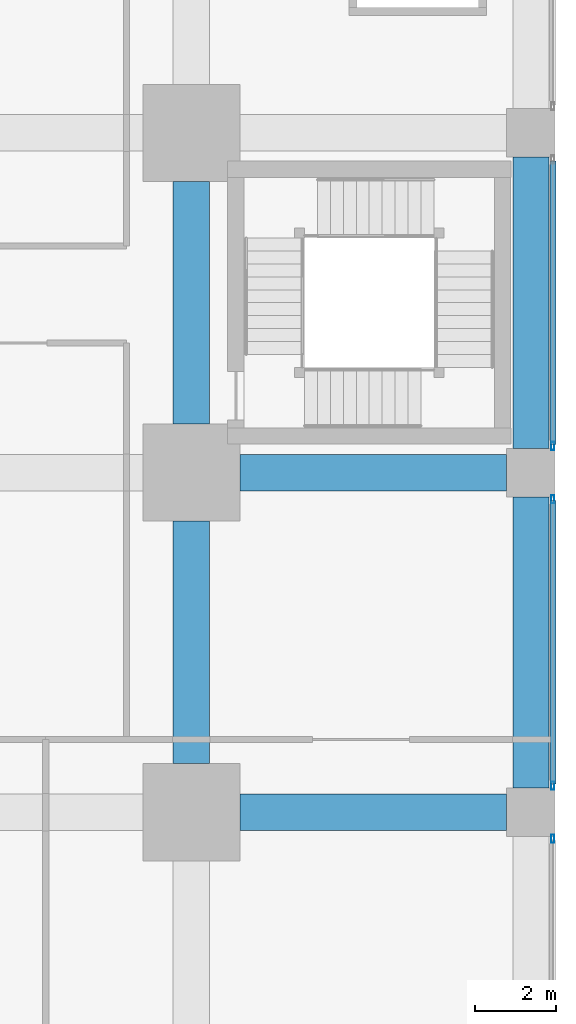
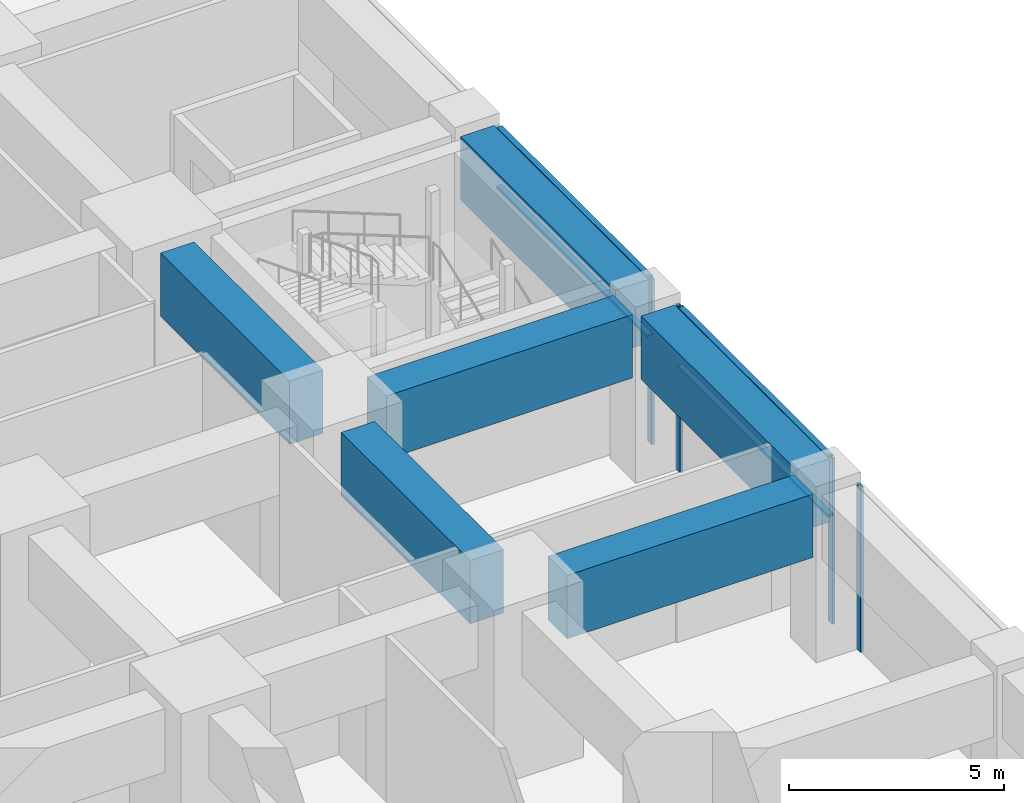
# One storey, part 31 of 49: 8 members, 6 beams, 3 elements without a shape of their own.
"""IFC4 building model written with IfcOpenShell, lengths in metres."""

import ifcopenshell
import ifcopenshell.guid

model = None  # the IFC model being written
_history = None  # IfcOwnerHistory: only IFC2X3 demands one
_inside = {}  # id of a spatial element -> (the spatial element, [elements in it])
_under = {}  # id of a project, library or spatial element -> (it, [spatial elements below it])
_declared = {}  # id of a project -> (the project, [libraries it declares])
_typed = {}  # id of a type object -> (the type object, [elements of that type])
_made_of = {}  # id of a material, layer set ... -> (it, [elements and type objects made of it])


def new_model(schema):
    """Start an empty IFC model of exactly this schema.

    Asked for "IFC4X3", IfcOpenShell would pick the latest addendum, in which some entities
    have other attributes; the version numbers below select the first issue.
    IFC2X3 requires an IfcOwnerHistory on every rooted entity: one is made here for all.
    """
    global model, _history
    if schema == "IFC4X3":
        model = ifcopenshell.file(schema_version=(4, 3, 0, 0))
    else:
        model = ifcopenshell.file(schema=schema)
    _inside.clear()
    _under.clear()
    _declared.clear()
    _typed.clear()
    _made_of.clear()
    _history = None
    if model.schema == "IFC2X3":
        org = make("IfcOrganization", Name="unknown")
        user = make(
            "IfcPersonAndOrganization",
            ThePerson=make("IfcPerson", FamilyName="unknown"),
            TheOrganization=org,
        )
        app = make(
            "IfcApplication",
            ApplicationDeveloper=org,
            Version="unknown",
            ApplicationFullName="unknown",
            ApplicationIdentifier="unknown",
        )
        _history = make(
            "IfcOwnerHistory",
            OwningUser=user,
            OwningApplication=app,
            ChangeAction="ADDED",
            CreationDate=0,
        )
    return model


def make(cls, **values):
    """One entity of the class cls with the attributes given. An attribute that is None is left unset."""
    return model.create_entity(
        cls, **{name: value for name, value in values.items() if value is not None}
    )


def rooted(cls, **values):
    """An entity with a GlobalId (a new one), such as an element, a storey or a relation."""
    return make(cls, GlobalId=ifcopenshell.guid.new(), OwnerHistory=_history, **values)


def si_unit(unit_type, name, prefix=None):
    """IfcSIUnit, for example si_unit("LENGTHUNIT", "METRE", prefix="MILLI")."""
    return make("IfcSIUnit", UnitType=unit_type, Prefix=prefix, Name=name)


def assignment(units):
    """IfcUnitAssignment: the units of a project."""
    return None if units is None else make("IfcUnitAssignment", Units=units)


def point(xyz):
    """IfcCartesianPoint."""
    return None if xyz is None else make("IfcCartesianPoint", Coordinates=xyz)


def direction(xyz):
    """IfcDirection."""
    return None if xyz is None else make("IfcDirection", DirectionRatios=xyz)


def frame(location, z_axis=None, x_axis=None):
    """IfcAxis2Placement3D, a coordinate frame: its origin and axes. An axis left out is left unset."""
    return make(
        "IfcAxis2Placement3D",
        Location=point(location),
        Axis=direction(z_axis),
        RefDirection=direction(x_axis),
    )


def frame_2d(location, x_axis=None):
    """IfcAxis2Placement2D, a coordinate frame in the plane: its origin and x axis."""
    return make(
        "IfcAxis2Placement2D", Location=point(location), RefDirection=direction(x_axis)
    )


def origin():
    """The frame at (0, 0, 0) with its axes left unset."""
    return frame((0.0, 0.0, 0.0))


def origin_2d():
    """The frame at (0, 0) in the plane with its x axis left unset."""
    return frame_2d((0.0, 0.0))


def place(relative_to, where):
    """IfcLocalPlacement: puts the frame where relative to a parent placement (None: the world)."""
    return make(
        "IfcLocalPlacement", PlacementRelTo=relative_to, RelativePlacement=where
    )


def context(
    kind, dimensions, precision=None, world=None, true_north=None, identifier=None
):
    """IfcGeometricRepresentationContext, for example the 3D "Model" context."""
    return make(
        "IfcGeometricRepresentationContext",
        ContextIdentifier=identifier,
        ContextType=kind,
        CoordinateSpaceDimension=dimensions,
        Precision=precision,
        WorldCoordinateSystem=world,
        TrueNorth=true_north,
    )


def subcontext(parent, identifier, kind, view, scale=None):
    """IfcGeometricRepresentationSubContext, for example "Body" below "Model"."""
    return make(
        "IfcGeometricRepresentationSubContext",
        ContextIdentifier=identifier,
        ContextType=kind,
        ParentContext=parent,
        TargetScale=scale,
        TargetView=view,
    )


def project(units=None, contexts=None):
    """IfcProject with its units and contexts."""
    return rooted(
        "IfcProject",
        Name="project",
        RepresentationContexts=contexts,
        UnitsInContext=assignment(units),
    )


def spatial(cls, under=None, at=None, **own):
    """A site, building, storey or space (cls), placed at a placement, below another one or the project."""
    s = rooted(cls, ObjectPlacement=at, **own)
    if under is not None:
        _under.setdefault(under.id(), (under, []))[1].append(s)
    return s


def profile(cls, at=None, kind="AREA", **sizes):
    """A parametric profile (cls). Its sizes go by their IFC names, for example OverallWidth=200.0."""
    return make(cls, ProfileType=kind, Position=at, **sizes)


def rectangle(**sizes):
    """IfcRectangleProfileDef."""
    return profile("IfcRectangleProfileDef", **sizes)


def hollow_rectangle(**sizes):
    """IfcRectangleHollowProfileDef."""
    return profile("IfcRectangleHollowProfileDef", **sizes)


def extrude(swept, where, along, depth):
    """IfcExtrudedAreaSolid: the profile swept, set in the frame where, extruded along a direction by depth."""
    return make(
        "IfcExtrudedAreaSolid",
        SweptArea=swept,
        Position=where,
        ExtrudedDirection=direction(along),
        Depth=depth,
    )


def shape(context_of_items, identifier, shape_type, items):
    """IfcShapeRepresentation: the items that make up one representation, for example the "Body"."""
    return make(
        "IfcShapeRepresentation",
        ContextOfItems=context_of_items,
        RepresentationIdentifier=identifier,
        RepresentationType=shape_type,
        Items=items,
    )


def material(Name=None, Category=None):
    """IfcMaterial."""
    return make("IfcMaterial", Name=Name, Category=Category)


def material_profile(
    of_material, cross_section, Name=None, Category=None, Priority=None
):
    """IfcMaterialProfile: a cross section and its material."""
    return make(
        "IfcMaterialProfile",
        Name=Name,
        Material=of_material,
        Profile=cross_section,
        Priority=Priority,
        Category=Category,
    )


def profile_set(profiles, Name=None, composite=None):
    """IfcMaterialProfileSet."""
    return make(
        "IfcMaterialProfileSet",
        Name=Name,
        MaterialProfiles=profiles,
        CompositeProfile=composite,
    )


def made_of(thing, what):
    """Note that an element or type object is made of a material, layer set ...; save() writes the relation."""
    if what is not None:
        _made_of.setdefault(what.id(), (what, []))[1].append(thing)
    return thing


def type_object(cls, material=None, **own):
    """A type object (cls), such as IfcWallType, which elements share."""
    return made_of(rooted(cls, **own), material)


def element(
    cls,
    number,
    at=None,
    inside=None,
    cuts=None,
    type_object=None,
    material=None,
    context=None,
    identifier="Body",
    shape_type=None,
    held_by="IfcProductDefinitionShape",
    body=None,
    shapes=None,
    **own,
):
    """One element of the class cls, such as IfcWall. Its Tag is "e" and its number.

    at: its placement. inside: the storey or other place that contains it. cuts: it is an
    opening in that element (IfcRelVoidsElement). A single representation is given by context,
    identifier, shape_type and body (its items); several are given by shapes. held_by: the class
    of the entity that holds the representations. save() writes the other relations.
    """
    e = rooted(cls, Tag="e%d" % number, ObjectPlacement=at, **own)
    if body is not None:
        shapes = [shape(context, identifier, shape_type, body)]
    if shapes is not None:
        e.Representation = make(held_by, Representations=shapes)
    if inside is not None:
        _inside.setdefault(inside.id(), (inside, []))[1].append(e)
    if cuts is not None:
        rooted(
            "IfcRelVoidsElement", RelatingBuildingElement=cuts, RelatedOpeningElement=e
        )
    if type_object is not None:
        _typed.setdefault(type_object.id(), (type_object, []))[1].append(e)
    return made_of(e, material)


def aggregate(whole, parts):
    """IfcRelAggregates: a whole, such as a stair, and the parts it consists of."""
    return rooted("IfcRelAggregates", RelatingObject=whole, RelatedObjects=parts)


def save(model, path):
    """Write the relations noted so far, then the file.

    IfcRelAggregates (storeys below a building ...), IfcRelContainedInSpatialStructure (elements
    in a storey), IfcRelDefinesByType, IfcRelAssociatesMaterial and IfcRelDeclares: one each for
    every whole, place, type object, material and project.
    """
    for whole, parts in _under.values():
        aggregate(whole, parts)
    for where, things in _inside.values():
        rooted(
            "IfcRelContainedInSpatialStructure",
            RelatedElements=things,
            RelatingStructure=where,
        )
    for kind, things in _typed.values():
        rooted("IfcRelDefinesByType", RelatedObjects=things, RelatingType=kind)
    for what, things in _made_of.values():
        rooted("IfcRelAssociatesMaterial", RelatedObjects=things, RelatingMaterial=what)
    for by, libraries in _declared.values():
        rooted("IfcRelDeclares", RelatingContext=by, RelatedDefinitions=libraries)
    model.write(path)


model = new_model("IFC4")

# Units and contexts
model_context = context("Model", 3, precision=1e-05, world=origin(), true_north=direction((0.0, 1.0)))
body_context = subcontext(model_context, "Body", "Model", "MODEL_VIEW")
ifc_project = project(units=[si_unit("LENGTHUNIT", "METRE"), si_unit("AREAUNIT", "SQUARE_METRE"), si_unit("VOLUMEUNIT", "CUBIC_METRE"), si_unit("PLANEANGLEUNIT", "RADIAN"), si_unit("MASSUNIT", "GRAM", prefix="KILO")], contexts=[model_context])

# Site, building, storey
site_placement = place(None, origin())
site = spatial("IfcSite", under=ifc_project, at=site_placement, CompositionType="ELEMENT")
building_placement = place(site_placement, origin())
building = spatial("IfcBuilding", under=site, at=building_placement, Name="Rekha Terrace Tower", CompositionType="ELEMENT")
storey_placement = place(building_placement, frame((0.0, 0.0, 5.39990234375)))
storey = spatial("IfcBuildingStorey", under=building, at=storey_placement, Name="L01", CompositionType="ELEMENT", Elevation=5.39990234375)

# Curtain wall, member
ifc_material_1 = material(Name="Aluminium framing", Category="aluminium")
curtain_wall_type = type_object("IfcCurtainWallType", Name="CW4 podium shopfront glazing", PredefinedType="USERDEFINED", material=ifc_material_1)
curtain_wall_1_placement = place(storey_placement, origin())
curtain_wall_1 = element("IfcCurtainWall", 1, at=curtain_wall_1_placement, inside=storey, type_object=curtain_wall_type, Name="CW4 shopfront curtain wall", ObjectType="SHOPFRONT CURTAIN WALL", PredefinedType="USERDEFINED")
ifc_material_2 = material(Name="Aluminium mullion section", Category="aluminium")
ifc_material_profile_1 = material_profile(ifc_material_2, hollow_rectangle(XDim=0.074951171875, YDim=0.199951171875, WallThickness=0.00390625, at=origin_2d()), Name="AL RHS 75x200")
ifc_profile_set_1 = profile_set([ifc_material_profile_1], Name="Aluminium mullion section")
member_type_1 = type_object("IfcMemberType", Name="CW4 mullion RHS 75 x 200", PredefinedType="MULLION", material=ifc_profile_set_1)
member_1_placement = place(storey_placement, frame((76.139892578125, 16.142578125, 0.0), z_axis=(0.0, 0.0, 1.0), x_axis=(-1.0, 0.0, 0.0)))
member_1 = element("IfcMember", 2, at=member_1_placement, type_object=member_type_1, Name="CW4 mullion 2", PredefinedType="MULLION", context=body_context, shape_type="SweptSolid", body=[
    extrude(hollow_rectangle(XDim=0.074951171875, YDim=0.199951171875, WallThickness=0.00390625, at=origin_2d()), origin(), (0.0, 0.0, 1.0), 4.7001953125),
])
aggregate(curtain_wall_1, [member_1])

# Curtain wall, members
curtain_wall_2_placement = place(storey_placement, origin())
curtain_wall_2 = element("IfcCurtainWall", 3, at=curtain_wall_2_placement, inside=storey, type_object=curtain_wall_type, Name="CW4 shopfront curtain wall", ObjectType="SHOPFRONT CURTAIN WALL", PredefinedType="USERDEFINED")
member_2_placement = place(storey_placement, frame((76.139892578125, 17.45751953125, 0.0), z_axis=(0.0, 0.0, 1.0), x_axis=(-1.0, 0.0, 0.0)))
member_2 = element("IfcMember", 4, at=member_2_placement, type_object=member_type_1, Name="CW4 mullion 1", PredefinedType="MULLION", context=body_context, shape_type="SweptSolid", body=[
    extrude(hollow_rectangle(XDim=0.074951171875, YDim=0.199951171875, WallThickness=0.00390625, at=origin_2d()), origin(), (0.0, 0.0, 1.0), 4.7001953125),
])
member_3_placement = place(storey_placement, frame((76.139892578125, 24.54248046875, 0.0), z_axis=(0.0, 0.0, 1.0), x_axis=(-1.0, 0.0, 0.0)))
member_3 = element("IfcMember", 5, at=member_3_placement, type_object=member_type_1, Name="CW4 mullion 2", PredefinedType="MULLION", context=body_context, shape_type="SweptSolid", body=[
    extrude(hollow_rectangle(XDim=0.074951171875, YDim=0.199951171875, WallThickness=0.00390625, at=origin_2d()), origin(), (0.0, 0.0, 1.0), 4.7001953125),
])

# Curtain wall, member
curtain_wall_3_placement = place(storey_placement, origin())
curtain_wall_3 = element("IfcCurtainWall", 6, at=curtain_wall_3_placement, inside=storey, type_object=curtain_wall_type, Name="CW4 shopfront curtain wall", ObjectType="SHOPFRONT CURTAIN WALL", PredefinedType="USERDEFINED")
member_4_placement = place(storey_placement, frame((76.139892578125, 25.857421875, 0.0), z_axis=(0.0, 0.0, 1.0), x_axis=(-1.0, 0.0, 0.0)))
member_4 = element("IfcMember", 7, at=member_4_placement, type_object=member_type_1, Name="CW4 mullion 1", PredefinedType="MULLION", context=body_context, shape_type="SweptSolid", body=[
    extrude(hollow_rectangle(XDim=0.074951171875, YDim=0.199951171875, WallThickness=0.00390625, at=origin_2d()), origin(), (0.0, 0.0, 1.0), 4.7001953125),
])

# Member
ifc_material_3 = material(Name="Aluminium transom section", Category="aluminium")
ifc_material_profile_2 = material_profile(ifc_material_3, hollow_rectangle(XDim=0.14990234375, YDim=0.074951171875, WallThickness=0.0029296875, at=origin_2d()), Name="AL RHS 150x75")
ifc_profile_set_2 = profile_set([ifc_material_profile_2], Name="Aluminium transom section")
member_type_2 = type_object("IfcMemberType", Name="CW4 transom RHS 75 x 150", PredefinedType="USERDEFINED", material=ifc_profile_set_2)
member_5_placement = place(storey_placement, frame((76.139892578125, 17.4951171875, 3.0), z_axis=(0.0, 1.0, 0.0), x_axis=(-1.0, 0.0, 0.0)))
member_5 = element("IfcMember", 8, at=member_5_placement, type_object=member_type_2, Name="CW4 transom 1.2", ObjectType="TRANSOM", PredefinedType="USERDEFINED", context=body_context, shape_type="SweptSolid", body=[
    extrude(hollow_rectangle(XDim=0.14990234375, YDim=0.074951171875, WallThickness=0.0029296875, at=origin_2d()), origin(), (0.0, 0.0, 1.0), 7.009765625),
])

member_6_placement = place(storey_placement, frame((76.139892578125, 17.4951171875, 4.66259765625), z_axis=(0.0, 1.0, 0.0), x_axis=(-1.0, 0.0, 0.0)))
member_6 = element("IfcMember", 9, at=member_6_placement, type_object=member_type_2, Name="CW4 transom 1.3", ObjectType="TRANSOM", PredefinedType="USERDEFINED", context=body_context, shape_type="SweptSolid", body=[
    extrude(hollow_rectangle(XDim=0.14990234375, YDim=0.074951171875, WallThickness=0.0029296875, at=origin_2d()), origin(), (0.0, 0.0, 1.0), 7.009765625),
])

aggregate(curtain_wall_2, [member_2, member_3, member_5, member_6])

member_7_placement = place(storey_placement, frame((76.139892578125, 25.89501953125, 3.0), z_axis=(0.0, 1.0, 0.0), x_axis=(-1.0, 0.0, 0.0)))
member_7 = element("IfcMember", 10, at=member_7_placement, type_object=member_type_2, Name="CW4 transom 1.2", ObjectType="TRANSOM", PredefinedType="USERDEFINED", context=body_context, shape_type="SweptSolid", body=[
    extrude(hollow_rectangle(XDim=0.14990234375, YDim=0.074951171875, WallThickness=0.0029296875, at=origin_2d()), origin(), (0.0, 0.0, 1.0), 7.010009765625),
])

member_8_placement = place(storey_placement, frame((76.139892578125, 25.89501953125, 4.66259765625), z_axis=(0.0, 1.0, 0.0), x_axis=(-1.0, 0.0, 0.0)))
member_8 = element("IfcMember", 11, at=member_8_placement, type_object=member_type_2, Name="CW4 transom 1.3", ObjectType="TRANSOM", PredefinedType="USERDEFINED", context=body_context, shape_type="SweptSolid", body=[
    extrude(hollow_rectangle(XDim=0.14990234375, YDim=0.074951171875, WallThickness=0.0029296875, at=origin_2d()), origin(), (0.0, 0.0, 1.0), 7.010009765625),
])

aggregate(curtain_wall_3, [member_4, member_7, member_8])

# Beams
ifc_material_4 = material(Name="Concrete M60", Category="concrete")
ifc_material_profile_3 = material_profile(ifc_material_4, rectangle(XDim=0.89990234375, YDim=1.800048828125, at=origin_2d()), Name="RC 900x1800")
ifc_profile_set_3 = profile_set([ifc_material_profile_3], Name="Concrete M60")
beam_type = type_object("IfcBeamType", Name="G1 900x1800 podium floor beam", PredefinedType="BEAM", material=ifc_profile_set_3)
beam_1_placement = place(storey_placement, frame((68.39990234375, 16.800048828125, 3.800048828125), z_axis=(1.0, 0.0, 0.0), x_axis=(0.0, 1.0, 0.0)))
element("IfcBeam", 12, at=beam_1_placement, inside=storey, type_object=beam_type, Name="Beam G1 9C-10C under L02", PredefinedType="BEAM", context=body_context, shape_type="SweptSolid", body=[
    extrude(rectangle(XDim=0.89990234375, YDim=1.800048828125, at=origin_2d()), origin(), (0.0, 0.0, 1.0), 6.60009765625),
])
beam_2_placement = place(storey_placement, frame((67.199951171875, 18.0, 3.800048828125), z_axis=(0.0, 1.0, 0.0), x_axis=(-1.0, 0.0, 0.0)))
element("IfcBeam", 13, at=beam_2_placement, inside=storey, type_object=beam_type, Name="Beam G1 9C-9D under L02", PredefinedType="BEAM", context=body_context, shape_type="SweptSolid", body=[
    extrude(rectangle(XDim=0.89990234375, YDim=1.800048828125, at=origin_2d()), origin(), (0.0, 0.0, 1.0), 6.0),
])
beam_3_placement = place(storey_placement, frame((68.39990234375, 25.199951171875, 3.800048828125), z_axis=(1.0, 0.0, 0.0), x_axis=(0.0, 1.0, 0.0)))
element("IfcBeam", 14, at=beam_3_placement, inside=storey, type_object=beam_type, Name="Beam G1 9D-10D under L02", PredefinedType="BEAM", context=body_context, shape_type="SweptSolid", body=[
    extrude(rectangle(XDim=0.89990234375, YDim=1.800048828125, at=origin_2d()), origin(), (0.0, 0.0, 1.0), 6.60009765625),
])
beam_4_placement = place(storey_placement, frame((67.199951171875, 26.39990234375, 3.800048828125), z_axis=(0.0, 1.0, 0.0), x_axis=(-1.0, 0.0, 0.0)))
element("IfcBeam", 15, at=beam_4_placement, inside=storey, type_object=beam_type, Name="Beam G1 9D-9E under L02", PredefinedType="BEAM", context=body_context, shape_type="SweptSolid", body=[
    extrude(rectangle(XDim=0.89990234375, YDim=1.800048828125, at=origin_2d()), origin(), (0.0, 0.0, 1.0), 6.0),
])
beam_5_placement = place(storey_placement, frame((75.60009765625, 17.39990234375, 3.800048828125), z_axis=(0.0, 1.0, 0.0), x_axis=(-1.0, 0.0, 0.0)))
element("IfcBeam", 16, at=beam_5_placement, inside=storey, type_object=beam_type, Name="Beam G1 10C-10D under L02", PredefinedType="BEAM", context=body_context, shape_type="SweptSolid", body=[
    extrude(rectangle(XDim=0.89990234375, YDim=1.800048828125, at=origin_2d()), origin(), (0.0, 0.0, 1.0), 7.2001953125),
])
beam_6_placement = place(storey_placement, frame((75.60009765625, 25.800048828125, 3.800048828125), z_axis=(0.0, 1.0, 0.0), x_axis=(-1.0, 0.0, 0.0)))
element("IfcBeam", 17, at=beam_6_placement, inside=storey, type_object=beam_type, Name="Beam G1 10D-10E under L02", PredefinedType="BEAM", context=body_context, shape_type="SweptSolid", body=[
    extrude(rectangle(XDim=0.89990234375, YDim=1.800048828125, at=origin_2d()), origin(), (0.0, 0.0, 1.0), 7.199951171875),
])

save(model, "model.ifc")
